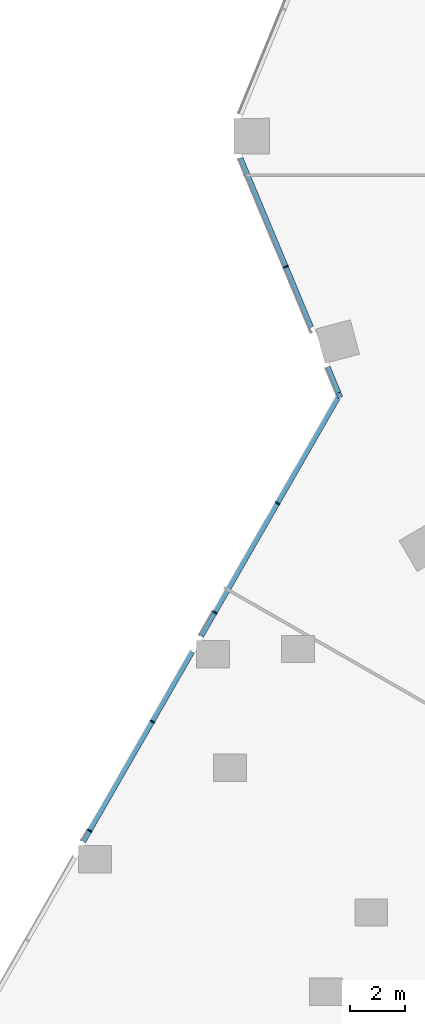
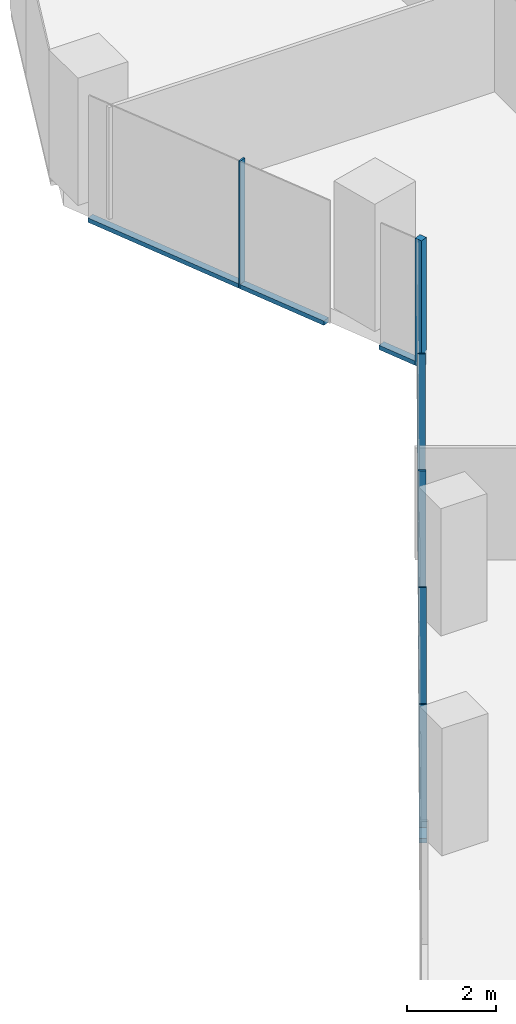
# One storey, part 7 of 34: 10 members, 2 elements without a shape of their own.
"""IFC4 building model written with IfcOpenShell, lengths in metres."""

import ifcopenshell
import ifcopenshell.guid

model = None  # the IFC model being written
_history = None  # IfcOwnerHistory: only IFC2X3 demands one
_inside = {}  # id of a spatial element -> (the spatial element, [elements in it])
_under = {}  # id of a project, library or spatial element -> (it, [spatial elements below it])
_declared = {}  # id of a project -> (the project, [libraries it declares])
_typed = {}  # id of a type object -> (the type object, [elements of that type])
_made_of = {}  # id of a material, layer set ... -> (it, [elements and type objects made of it])


def new_model(schema):
    """Start an empty IFC model of exactly this schema.

    Asked for "IFC4X3", IfcOpenShell would pick the latest addendum, in which some entities
    have other attributes; the version numbers below select the first issue.
    IFC2X3 requires an IfcOwnerHistory on every rooted entity: one is made here for all.
    """
    global model, _history
    if schema == "IFC4X3":
        model = ifcopenshell.file(schema_version=(4, 3, 0, 0))
    else:
        model = ifcopenshell.file(schema=schema)
    _inside.clear()
    _under.clear()
    _declared.clear()
    _typed.clear()
    _made_of.clear()
    _history = None
    if model.schema == "IFC2X3":
        org = make("IfcOrganization", Name="unknown")
        user = make(
            "IfcPersonAndOrganization",
            ThePerson=make("IfcPerson", FamilyName="unknown"),
            TheOrganization=org,
        )
        app = make(
            "IfcApplication",
            ApplicationDeveloper=org,
            Version="unknown",
            ApplicationFullName="unknown",
            ApplicationIdentifier="unknown",
        )
        _history = make(
            "IfcOwnerHistory",
            OwningUser=user,
            OwningApplication=app,
            ChangeAction="ADDED",
            CreationDate=0,
        )
    return model


def make(cls, **values):
    """One entity of the class cls with the attributes given. An attribute that is None is left unset."""
    return model.create_entity(
        cls, **{name: value for name, value in values.items() if value is not None}
    )


def rooted(cls, **values):
    """An entity with a GlobalId (a new one), such as an element, a storey or a relation."""
    return make(cls, GlobalId=ifcopenshell.guid.new(), OwnerHistory=_history, **values)


def si_unit(unit_type, name, prefix=None):
    """IfcSIUnit, for example si_unit("LENGTHUNIT", "METRE", prefix="MILLI")."""
    return make("IfcSIUnit", UnitType=unit_type, Prefix=prefix, Name=name)


def assignment(units):
    """IfcUnitAssignment: the units of a project."""
    return None if units is None else make("IfcUnitAssignment", Units=units)


def point(xyz):
    """IfcCartesianPoint."""
    return None if xyz is None else make("IfcCartesianPoint", Coordinates=xyz)


def direction(xyz):
    """IfcDirection."""
    return None if xyz is None else make("IfcDirection", DirectionRatios=xyz)


def frame(location, z_axis=None, x_axis=None):
    """IfcAxis2Placement3D, a coordinate frame: its origin and axes. An axis left out is left unset."""
    return make(
        "IfcAxis2Placement3D",
        Location=point(location),
        Axis=direction(z_axis),
        RefDirection=direction(x_axis),
    )


def frame_2d(location, x_axis=None):
    """IfcAxis2Placement2D, a coordinate frame in the plane: its origin and x axis."""
    return make(
        "IfcAxis2Placement2D", Location=point(location), RefDirection=direction(x_axis)
    )


def origin():
    """The frame at (0, 0, 0) with its axes left unset."""
    return frame((0.0, 0.0, 0.0))


def origin_2d():
    """The frame at (0, 0) in the plane with its x axis left unset."""
    return frame_2d((0.0, 0.0))


def place(relative_to, where):
    """IfcLocalPlacement: puts the frame where relative to a parent placement (None: the world)."""
    return make(
        "IfcLocalPlacement", PlacementRelTo=relative_to, RelativePlacement=where
    )


def context(
    kind, dimensions, precision=None, world=None, true_north=None, identifier=None
):
    """IfcGeometricRepresentationContext, for example the 3D "Model" context."""
    return make(
        "IfcGeometricRepresentationContext",
        ContextIdentifier=identifier,
        ContextType=kind,
        CoordinateSpaceDimension=dimensions,
        Precision=precision,
        WorldCoordinateSystem=world,
        TrueNorth=true_north,
    )


def subcontext(parent, identifier, kind, view, scale=None):
    """IfcGeometricRepresentationSubContext, for example "Body" below "Model"."""
    return make(
        "IfcGeometricRepresentationSubContext",
        ContextIdentifier=identifier,
        ContextType=kind,
        ParentContext=parent,
        TargetScale=scale,
        TargetView=view,
    )


def project(units=None, contexts=None):
    """IfcProject with its units and contexts."""
    return rooted(
        "IfcProject",
        Name="project",
        RepresentationContexts=contexts,
        UnitsInContext=assignment(units),
    )


def spatial(cls, under=None, at=None, **own):
    """A site, building, storey or space (cls), placed at a placement, below another one or the project."""
    s = rooted(cls, ObjectPlacement=at, **own)
    if under is not None:
        _under.setdefault(under.id(), (under, []))[1].append(s)
    return s


def profile(cls, at=None, kind="AREA", **sizes):
    """A parametric profile (cls). Its sizes go by their IFC names, for example OverallWidth=200.0."""
    return make(cls, ProfileType=kind, Position=at, **sizes)


def rectangle(**sizes):
    """IfcRectangleProfileDef."""
    return profile("IfcRectangleProfileDef", **sizes)


def extrude(swept, where, along, depth):
    """IfcExtrudedAreaSolid: the profile swept, set in the frame where, extruded along a direction by depth."""
    return make(
        "IfcExtrudedAreaSolid",
        SweptArea=swept,
        Position=where,
        ExtrudedDirection=direction(along),
        Depth=depth,
    )


def shape(context_of_items, identifier, shape_type, items):
    """IfcShapeRepresentation: the items that make up one representation, for example the "Body"."""
    return make(
        "IfcShapeRepresentation",
        ContextOfItems=context_of_items,
        RepresentationIdentifier=identifier,
        RepresentationType=shape_type,
        Items=items,
    )


def material(Name=None, Category=None):
    """IfcMaterial."""
    return make("IfcMaterial", Name=Name, Category=Category)


def material_profile(
    of_material, cross_section, Name=None, Category=None, Priority=None
):
    """IfcMaterialProfile: a cross section and its material."""
    return make(
        "IfcMaterialProfile",
        Name=Name,
        Material=of_material,
        Profile=cross_section,
        Priority=Priority,
        Category=Category,
    )


def profile_set(profiles, Name=None, composite=None):
    """IfcMaterialProfileSet."""
    return make(
        "IfcMaterialProfileSet",
        Name=Name,
        MaterialProfiles=profiles,
        CompositeProfile=composite,
    )


def made_of(thing, what):
    """Note that an element or type object is made of a material, layer set ...; save() writes the relation."""
    if what is not None:
        _made_of.setdefault(what.id(), (what, []))[1].append(thing)
    return thing


def type_object(cls, material=None, **own):
    """A type object (cls), such as IfcWallType, which elements share."""
    return made_of(rooted(cls, **own), material)


def element(
    cls,
    number,
    at=None,
    inside=None,
    cuts=None,
    type_object=None,
    material=None,
    context=None,
    identifier="Body",
    shape_type=None,
    held_by="IfcProductDefinitionShape",
    body=None,
    shapes=None,
    **own,
):
    """One element of the class cls, such as IfcWall. Its Tag is "e" and its number.

    at: its placement. inside: the storey or other place that contains it. cuts: it is an
    opening in that element (IfcRelVoidsElement). A single representation is given by context,
    identifier, shape_type and body (its items); several are given by shapes. held_by: the class
    of the entity that holds the representations. save() writes the other relations.
    """
    e = rooted(cls, Tag="e%d" % number, ObjectPlacement=at, **own)
    if body is not None:
        shapes = [shape(context, identifier, shape_type, body)]
    if shapes is not None:
        e.Representation = make(held_by, Representations=shapes)
    if inside is not None:
        _inside.setdefault(inside.id(), (inside, []))[1].append(e)
    if cuts is not None:
        rooted(
            "IfcRelVoidsElement", RelatingBuildingElement=cuts, RelatedOpeningElement=e
        )
    if type_object is not None:
        _typed.setdefault(type_object.id(), (type_object, []))[1].append(e)
    return made_of(e, material)


def aggregate(whole, parts):
    """IfcRelAggregates: a whole, such as a stair, and the parts it consists of."""
    return rooted("IfcRelAggregates", RelatingObject=whole, RelatedObjects=parts)


def save(model, path):
    """Write the relations noted so far, then the file.

    IfcRelAggregates (storeys below a building ...), IfcRelContainedInSpatialStructure (elements
    in a storey), IfcRelDefinesByType, IfcRelAssociatesMaterial and IfcRelDeclares: one each for
    every whole, place, type object, material and project.
    """
    for whole, parts in _under.values():
        aggregate(whole, parts)
    for where, things in _inside.values():
        rooted(
            "IfcRelContainedInSpatialStructure",
            RelatedElements=things,
            RelatingStructure=where,
        )
    for kind, things in _typed.values():
        rooted("IfcRelDefinesByType", RelatedObjects=things, RelatingType=kind)
    for what, things in _made_of.values():
        rooted("IfcRelAssociatesMaterial", RelatedObjects=things, RelatingMaterial=what)
    for by, libraries in _declared.values():
        rooted("IfcRelDeclares", RelatingContext=by, RelatedDefinitions=libraries)
    model.write(path)


model = new_model("IFC4")

# Units and contexts
model_context = context("Model", 3, precision=1e-05, world=origin(), true_north=direction((0.0, 1.0)))
body_context = subcontext(model_context, "Body", "Model", "MODEL_VIEW")
ifc_project = project(units=[si_unit("LENGTHUNIT", "METRE"), si_unit("AREAUNIT", "SQUARE_METRE"), si_unit("VOLUMEUNIT", "CUBIC_METRE"), si_unit("PLANEANGLEUNIT", "RADIAN"), si_unit("MASSUNIT", "GRAM", prefix="KILO")], contexts=[model_context])

# Site, building, storey
site_placement = place(None, origin())
site = spatial("IfcSite", under=ifc_project, at=site_placement, CompositionType="ELEMENT")
building_placement = place(site_placement, origin())
building = spatial("IfcBuilding", under=site, at=building_placement, Name="Orlundy Tower", CompositionType="ELEMENT")
storey_placement = place(building_placement, frame((0.0, 0.0, 105.699951171875)))
storey = spatial("IfcBuildingStorey", under=building, at=storey_placement, Name="L26", CompositionType="ELEMENT", Elevation=105.699951171875)

# Curtain wall, member
ifc_material_1 = material(Name="Aluminium bronze anodised", Category="aluminium")
curtain_wall_type = type_object("IfcCurtainWallType", Name="CW1 wall", PredefinedType="NOTDEFINED", material=ifc_material_1)
curtain_wall_1_placement = place(storey_placement, origin())
curtain_wall_1 = element("IfcCurtainWall", 1, at=curtain_wall_1_placement, inside=storey, type_object=curtain_wall_type, Name="CW1 run 013", PredefinedType="NOTDEFINED")
ifc_material_2 = material(Name="Aluminium bronze anodised", Category="aluminium")
ifc_material_profile_1 = material_profile(ifc_material_2, rectangle(XDim=0.179931640625, YDim=0.179931640625, at=origin_2d()), Name="CW1 corner post 180x180")
ifc_profile_set_1 = profile_set([ifc_material_profile_1], Name="Aluminium bronze anodised")
member_type_1 = type_object("IfcMemberType", Name="CW1 corner post 180x180", PredefinedType="MULLION", material=ifc_profile_set_1)
member_1_placement = place(storey_placement, frame((-28.627197265625, -9.53466796875, -0.39990234375), z_axis=(0.0, 0.0, 1.0), x_axis=(-0.922773195223, -0.385343522299, 0.0)))
member_1 = element("IfcMember", 2, at=member_1_placement, type_object=member_type_1, Name="CW1 mullion 32", PredefinedType="MULLION", context=body_context, shape_type="SweptSolid", body=[
    extrude(rectangle(XDim=0.179931640625, YDim=0.179931640625, at=origin_2d()), origin(), (0.0, 0.0, 1.0), 3.5),
])

# Curtain wall, members
curtain_wall_2_placement = place(storey_placement, origin())
curtain_wall_2 = element("IfcCurtainWall", 3, at=curtain_wall_2_placement, inside=storey, type_object=curtain_wall_type, Name="CW1 run 012", PredefinedType="NOTDEFINED")
ifc_material_3 = material(Name="Aluminium bronze anodised", Category="aluminium")
ifc_material_profile_2 = material_profile(ifc_material_3, rectangle(XDim=0.179931640625, YDim=0.050048828125, at=origin_2d()), Name="CW1 mullion 50x180")
ifc_profile_set_2 = profile_set([ifc_material_profile_2], Name="Aluminium bronze anodised")
member_type_2 = type_object("IfcMemberType", Name="CW1 mullion 50x180", PredefinedType="MULLION", material=ifc_profile_set_2)
member_2_placement = place(storey_placement, frame((-37.73583984375, -25.418212890625, -0.39990234375), z_axis=(0.0, 0.0, 1.0), x_axis=(-0.867482152182, 0.497468306172, 0.0)))
member_2 = element("IfcMember", 4, at=member_2_placement, type_object=member_type_2, Name="CW1 mullion 28", PredefinedType="MULLION", context=body_context, shape_type="SweptSolid", body=[
    extrude(rectangle(XDim=0.179931640625, YDim=0.050048828125, at=origin_2d()), origin(), (0.0, 0.0, 1.0), 3.5),
])
member_3_placement = place(storey_placement, frame((-35.453125, -21.437744140625, -0.39990234375), z_axis=(0.0, 0.0, 1.0), x_axis=(-0.867482152182, 0.497468306172, 0.0)))
member_3 = element("IfcMember", 5, at=member_3_placement, type_object=member_type_2, Name="CW1 mullion 29", PredefinedType="MULLION", context=body_context, shape_type="SweptSolid", body=[
    extrude(rectangle(XDim=0.179931640625, YDim=0.050048828125, at=origin_2d()), origin(), (0.0, 0.0, 1.0), 3.5),
])
member_4_placement = place(storey_placement, frame((-33.17041015625, -17.457275390625, -0.39990234375), z_axis=(0.0, 0.0, 1.0), x_axis=(-0.867482152182, 0.497468306172, 0.0)))
member_4 = element("IfcMember", 6, at=member_4_placement, type_object=member_type_2, Name="CW1 mullion 30", PredefinedType="MULLION", context=body_context, shape_type="SweptSolid", body=[
    extrude(rectangle(XDim=0.179931640625, YDim=0.050048828125, at=origin_2d()), origin(), (0.0, 0.0, 1.0), 3.5),
])
member_5_placement = place(storey_placement, frame((-30.8876953125, -13.476806640625, -0.39990234375), z_axis=(0.0, 0.0, 1.0), x_axis=(-0.867482152182, 0.497468306172, 0.0)))
member_5 = element("IfcMember", 7, at=member_5_placement, type_object=member_type_2, Name="CW1 mullion 31", PredefinedType="MULLION", context=body_context, shape_type="SweptSolid", body=[
    extrude(rectangle(XDim=0.179931640625, YDim=0.050048828125, at=origin_2d()), origin(), (0.0, 0.0, 1.0), 3.5),
])

# Member
member_6_placement = place(storey_placement, frame((-30.58251953125, -4.852294921875, -0.39990234375), z_axis=(0.0, 0.0, 1.0), x_axis=(-0.922773195223, -0.385343522299, 0.0)))
member_6 = element("IfcMember", 8, at=member_6_placement, type_object=member_type_2, Name="CW1 mullion 33", PredefinedType="MULLION", context=body_context, shape_type="SweptSolid", body=[
    extrude(rectangle(XDim=0.179931640625, YDim=0.050048828125, at=origin_2d()), origin(), (0.0, 0.0, 1.0), 3.5),
])

ifc_material_4 = material(Name="Aluminium bronze anodised", Category="aluminium")
ifc_material_profile_3 = material_profile(ifc_material_4, rectangle(XDim=0.179931640625, YDim=0.1201171875, at=origin_2d()), Name="CW1 transom 180x120")
ifc_profile_set_3 = profile_set([ifc_material_profile_3], Name="Aluminium bronze anodised")
member_type_3 = type_object("IfcMemberType", Name="CW1 transom 180x120", PredefinedType="USERDEFINED", material=ifc_profile_set_3)
member_7_placement = place(storey_placement, frame((-37.96337890625, -25.81494140625, -0.33984375), z_axis=(0.497476885388, 0.867477232269, 0.0), x_axis=(-0.867477232269, 0.497476885388, 0.0)))
member_7 = element("IfcMember", 9, at=member_7_placement, type_object=member_type_3, Name="CW1 transom", ObjectType="TRANSOM", PredefinedType="USERDEFINED", context=body_context, shape_type="SweptSolid", body=[
    extrude(rectangle(XDim=0.179931640625, YDim=0.1201171875, at=origin_2d()), origin(), (0.0, 0.0, 1.0), 7.974853515625),
])

member_8_placement = place(storey_placement, frame((-33.668701171875, -18.325927734375, -0.33984375), z_axis=(0.497473834069, 0.867478982118, 0.0), x_axis=(-0.867478982118, 0.497473834069, 0.0)))
member_8 = element("IfcMember", 10, at=member_8_placement, type_object=member_type_3, Name="CW1 transom", ObjectType="TRANSOM", PredefinedType="USERDEFINED", context=body_context, shape_type="SweptSolid", body=[
    extrude(rectangle(XDim=0.179931640625, YDim=0.1201171875, at=origin_2d()), origin(), (0.0, 0.0, 1.0), 10.020751953125),
])

aggregate(curtain_wall_2, [member_2, member_3, member_4, member_5, member_7, member_8])

member_9_placement = place(storey_placement, frame((-28.661865234375, -9.45166015625, -0.33984375), z_axis=(-0.385292880354, 0.922794341307, 0.0), x_axis=(-0.922794341307, -0.385292880354, 0.0)))
member_9 = element("IfcMember", 11, at=member_9_placement, type_object=member_type_3, Name="CW1 transom", ObjectType="TRANSOM", PredefinedType="USERDEFINED", context=body_context, shape_type="SweptSolid", body=[
    extrude(rectangle(XDim=0.179931640625, YDim=0.1201171875, at=origin_2d()), origin(), (0.0, 0.0, 1.0), 1.0234375),
])

member_10_placement = place(storey_placement, frame((-29.658935546875, -7.06396484375, -0.33984375), z_axis=(-0.385343838264, 0.922773063278, 0.0), x_axis=(-0.922773063278, -0.385343838264, 0.0)))
member_10 = element("IfcMember", 12, at=member_10_placement, type_object=member_type_3, Name="CW1 transom", ObjectType="TRANSOM", PredefinedType="USERDEFINED", context=body_context, shape_type="SweptSolid", body=[
    extrude(rectangle(XDim=0.179931640625, YDim=0.1201171875, at=origin_2d()), origin(), (0.0, 0.0, 1.0), 6.68603515625),
])

aggregate(curtain_wall_1, [member_1, member_6, member_9, member_10])

save(model, "model.ifc")
